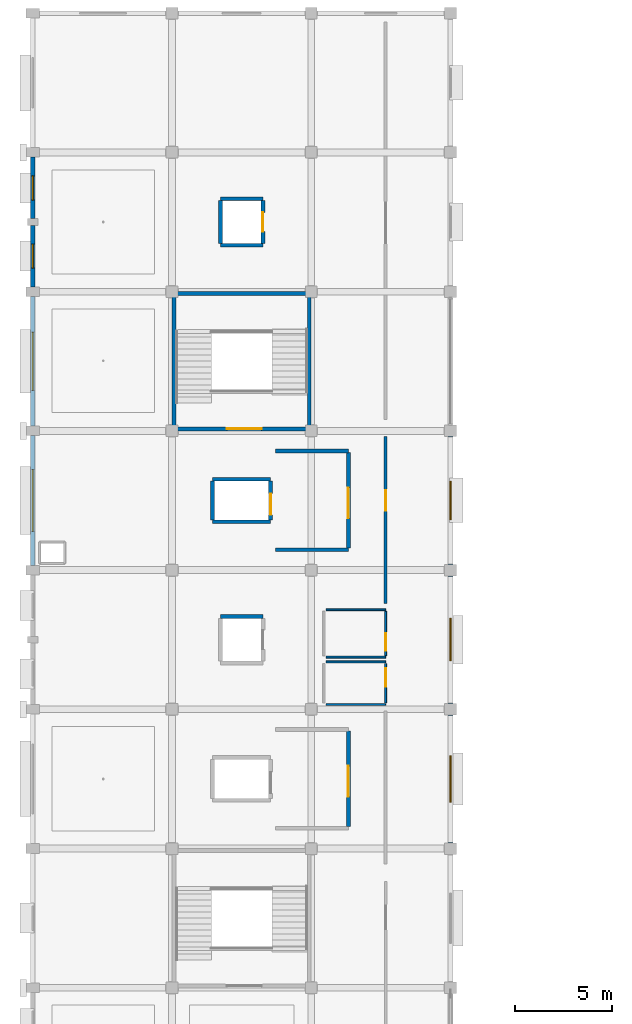
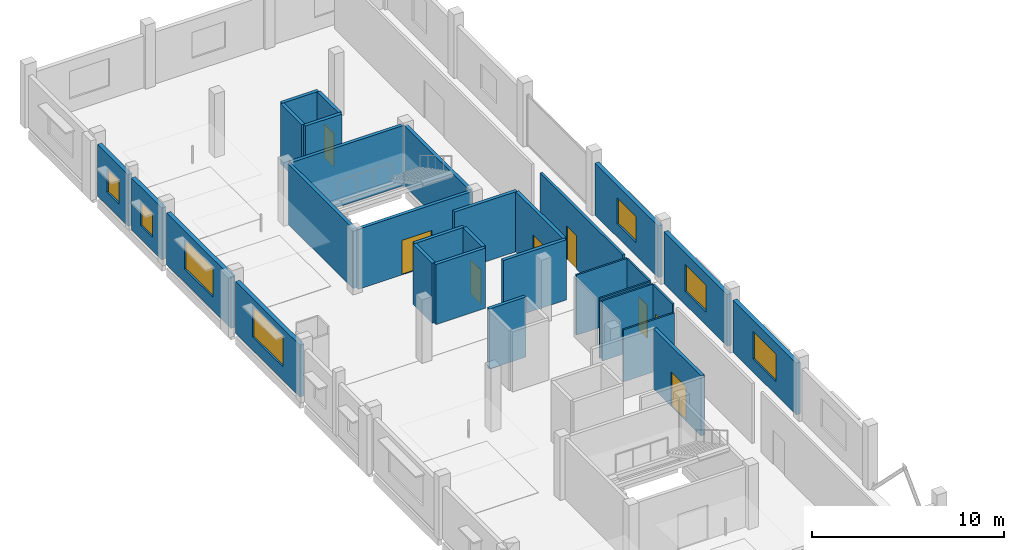
# One storey, part 15 of 26: 31 walls, 8 doors, 7 windows, 15 openings.
"""IFC4 building model written with IfcOpenShell, lengths in metres."""

from ifc_helpers import new_model, si_unit, direction, frame, frame_2d, origin, place, context, subcontext, project, spatial, rectangle, extrude, material, layer, layer_set, type_object, element, fill, save


model = new_model("IFC4")

# Units and contexts
model_context = context("Model", 3, precision=1e-05, world=origin(), true_north=direction((0.0, 1.0)))
body_context = subcontext(model_context, "Body", "Model", "MODEL_VIEW")
ifc_project = project(units=[si_unit("LENGTHUNIT", "METRE"), si_unit("AREAUNIT", "SQUARE_METRE"), si_unit("VOLUMEUNIT", "CUBIC_METRE"), si_unit("PLANEANGLEUNIT", "RADIAN"), si_unit("MASSUNIT", "GRAM", prefix="KILO")], contexts=[model_context])

# Site, building, storey
site_placement = place(None, origin())
site = spatial("IfcSite", under=ifc_project, at=site_placement, CompositionType="ELEMENT")
building_placement = place(site_placement, origin())
building = spatial("IfcBuilding", under=site, at=building_placement, Name="Kangsadwip Square Police Headquarters", CompositionType="ELEMENT")
storey_placement = place(building_placement, frame((0.0, 0.0, 25.64990234375)))
storey = spatial("IfcBuildingStorey", under=building, at=storey_placement, Name="L06", CompositionType="ELEMENT", Elevation=25.64990234375)

# Wall, opening, door
ifc_material_1 = material(Name="Autoclaved aerated concrete blockwork masonry", Category="masonry")
ifc_layer_1 = layer(ifc_material_1, 0.14990234375)
ifc_layer_set_1 = layer_set([ifc_layer_1], Name="Autoclaved aerated concrete blockwork masonry")
wall_type_1 = type_object("IfcWallType", Name="BlockPartition150", PredefinedType="PARTITIONING", material=ifc_layer_set_1)
wall_1_placement = place(storey_placement, frame((18.25, 63.080078125, 0.0), z_axis=(0.0, 0.0, 1.0), x_axis=(0.0, 1.0, 0.0)))
wall_1 = element("IfcWall", 1, at=wall_1_placement, inside=storey, type_object=wall_type_1, Name="Interior Wall WI-L06-0923", PredefinedType="PARTITIONING", context=body_context, shape_type="SweptSolid", body=[
    extrude(rectangle(XDim=8.619873046875, YDim=0.14990234375, at=frame_2d((4.31005859375, 0.0))), origin(), (0.0, 0.0, 1.0), 3.830078125),
])
opening_1_placement = place(wall_1_placement, frame((4.794921875, 0.0, 0.0)))
opening_1 = element("IfcOpeningElement", 2, at=opening_1_placement, cuts=wall_1, Name="Opening ID-10A", PredefinedType="OPENING", context=body_context, shape_type="SweptSolid", body=[
    extrude(rectangle(XDim=1.050048828125, YDim=2.14990234375, at=frame_2d((0.52490234375, 1.074951171875))), frame((0.0, 0.0849609375, 0.0), z_axis=(0.0, -1.0, 0.0), x_axis=(1.0, 0.0, 0.0)), (0.0, 0.0, 1.0), 0.169921875),
])
ifc_material_2 = material(Name="Solid-core seasoned teak hardwood architectural door", Category="wood")
door_type_1 = type_object("IfcDoorType", Name="OfficeDoor1050x2150", OperationType="NOTDEFINED", PredefinedType="DOOR", material=ifc_material_2)
door_1_placement = place(opening_1_placement, origin())
door_1 = element("IfcDoor", 3, at=door_1_placement, inside=storey, type_object=door_type_1, Name="Interior Door ID-L06-0260", OperationType="SINGLE_SWING_LEFT", OverallHeight=2.14990234375, OverallWidth=1.050048828125, PredefinedType="DOOR", context=body_context, shape_type="SweptSolid", body=[
    extrude(rectangle(XDim=1.050048828125, YDim=2.14990234375, at=frame_2d((0.52490234375, 1.074951171875))), frame((0.0, 0.02490234375, 0.0), z_axis=(0.0, -1.0, 0.0), x_axis=(1.0, 0.0, 0.0)), (0.0, 0.0, 1.0), 0.050048828125),
])
fill(opening_1, door_1)

# Wall, opening, window
ifc_material_3 = material(Name="Glazed architectural terracotta masonry rainscreen", Category="masonry")
ifc_layer_2 = layer(ifc_material_3, 0.25)
ifc_layer_set_2 = layer_set([ifc_layer_2], Name="Glazed architectural terracotta masonry rainscreen")
wall_type_2 = type_object("IfcWallType", Name="ChicagoTerracottaWall250", PredefinedType="SOLIDWALL", material=ifc_layer_set_2)
wall_2_placement = place(storey_placement, frame((0.0, 65.044921875, 0.0), z_axis=(0.0, 0.0, 1.0), x_axis=(0.0, 1.0, 0.0)))
wall_2 = element("IfcWall", 4, at=wall_2_placement, inside=storey, type_object=wall_type_2, Name="Exterior Wall WE-L06-552", PredefinedType="SOLIDWALL", context=body_context, shape_type="SweptSolid", body=[
    extrude(rectangle(XDim=6.7099609375, YDim=0.25, at=frame_2d((3.35498046875, 0.0))), origin(), (0.0, 0.0, 1.0), 3.295166015625),
])
opening_2_placement = place(wall_2_placement, frame((1.7548828125, 0.0, 0.85009765625)))
opening_2 = element("IfcOpeningElement", 5, at=opening_2_placement, cuts=wall_2, Name="Opening WN-03", PredefinedType="OPENING", context=body_context, shape_type="SweptSolid", body=[
    extrude(rectangle(XDim=3.199951171875, YDim=1.949951171875, at=frame_2d((1.60009765625, 0.97509765625))), frame((0.0, 0.135009765625, 0.0), z_axis=(0.0, -1.0, 0.0), x_axis=(1.0, 0.0, 0.0)), (0.0, 0.0, 1.0), 0.27001953125),
])
ifc_material_4 = material(Name="Double-glazed solar-control low-E safety glass", Category="glass")
window_type_1 = type_object("IfcWindowType", Name="ChicagoTripartiteWin3200x1950", PartitioningType="TRIPLE_PANEL_HORIZONTAL", PredefinedType="WINDOW", material=ifc_material_4)
window_1_placement = place(opening_2_placement, origin())
window_1 = element("IfcWindow", 6, at=window_1_placement, inside=storey, type_object=window_type_1, Name="Window WN-L06-0401", OverallHeight=1.949951171875, OverallWidth=3.199951171875, PartitioningType="SINGLE_PANEL", PredefinedType="WINDOW", context=body_context, shape_type="SweptSolid", body=[
    extrude(rectangle(XDim=3.199951171875, YDim=1.949951171875, at=frame_2d((1.60009765625, 0.97509765625))), frame((0.0, 0.030029296875, 0.0), z_axis=(0.0, -1.0, 0.0), x_axis=(1.0, 0.0, 0.0)), (0.0, 0.0, 1.0), 0.06005859375),
])
fill(opening_2, window_1)

wall_3_placement = place(storey_placement, frame((0.0, 72.2451171875, 0.0), z_axis=(0.0, 0.0, 1.0), x_axis=(0.0, 1.0, 0.0)))
wall_3 = element("IfcWall", 7, at=wall_3_placement, inside=storey, type_object=wall_type_2, Name="Exterior Wall WE-L06-553", PredefinedType="SOLIDWALL", context=body_context, shape_type="SweptSolid", body=[
    extrude(rectangle(XDim=6.7099609375, YDim=0.25, at=frame_2d((3.35498046875, 0.0))), origin(), (0.0, 0.0, 1.0), 3.295166015625),
])
opening_3_placement = place(wall_3_placement, frame((1.85498046875, 0.0, 0.85009765625)))
opening_3 = element("IfcOpeningElement", 8, at=opening_3_placement, cuts=wall_3, Name="Opening WN-04", PredefinedType="OPENING", context=body_context, shape_type="SweptSolid", body=[
    extrude(rectangle(XDim=3.0, YDim=1.89990234375, at=frame_2d((1.5, 0.949951171875))), frame((0.0, 0.135009765625, 0.0), z_axis=(0.0, -1.0, 0.0), x_axis=(1.0, 0.0, 0.0)), (0.0, 0.0, 1.0), 0.27001953125),
])
ifc_material_5 = material(Name="Double-glazed solar-control low-E safety glass", Category="glass")
window_type_2 = type_object("IfcWindowType", Name="ChicagoTripartiteWin3000x1900", PartitioningType="TRIPLE_PANEL_HORIZONTAL", PredefinedType="WINDOW", material=ifc_material_5)
window_2_placement = place(opening_3_placement, origin())
window_2 = element("IfcWindow", 9, at=window_2_placement, inside=storey, type_object=window_type_2, Name="Window WN-L06-0402", OverallHeight=1.89990234375, OverallWidth=3.0, PartitioningType="SINGLE_PANEL", PredefinedType="WINDOW", context=body_context, shape_type="SweptSolid", body=[
    extrude(rectangle(XDim=3.0, YDim=1.89990234375, at=frame_2d((1.5, 0.949951171875))), frame((0.0, 0.030029296875, 0.0), z_axis=(0.0, -1.0, 0.0), x_axis=(1.0, 0.0, 0.0)), (0.0, 0.0, 1.0), 0.06005859375),
])
fill(opening_3, window_2)

wall_4_placement = place(storey_placement, frame((0.0, 79.445068359375, 0.0), z_axis=(0.0, 0.0, 1.0), x_axis=(0.0, 1.0, 0.0)))
wall_4 = element("IfcWall", 10, at=wall_4_placement, inside=storey, type_object=wall_type_2, Name="Exterior Wall WE-L06-554", PredefinedType="SOLIDWALL", context=body_context, shape_type="SweptSolid", body=[
    extrude(rectangle(XDim=3.184814453125, YDim=0.25, at=frame_2d((1.59228515625, 0.0))), origin(), (0.0, 0.0, 1.0), 3.295166015625),
])
opening_4_placement = place(wall_4_placement, frame((0.967529296875, 0.0, 0.85009765625)))
opening_4 = element("IfcOpeningElement", 11, at=opening_4_placement, cuts=wall_4, Name="Opening WN-14", PredefinedType="OPENING", context=body_context, shape_type="SweptSolid", body=[
    extrude(rectangle(XDim=1.25, YDim=1.5, at=frame_2d((0.625, 0.75))), frame((0.0, 0.135009765625, 0.0), z_axis=(0.0, -1.0, 0.0), x_axis=(1.0, 0.0, 0.0)), (0.0, 0.0, 1.0), 0.27001953125),
])
ifc_material_6 = material(Name="Double-glazed solar-control low-E safety glass", Category="glass")
window_type_3 = type_object("IfcWindowType", Name="OfficeCasementWin1250x1500", PartitioningType="SINGLE_PANEL", PredefinedType="WINDOW", material=ifc_material_6)
window_3_placement = place(opening_4_placement, origin())
window_3 = element("IfcWindow", 12, at=window_3_placement, inside=storey, type_object=window_type_3, Name="Window WN-L06-0403", OverallHeight=1.5, OverallWidth=1.25, PartitioningType="SINGLE_PANEL", PredefinedType="WINDOW", context=body_context, shape_type="SweptSolid", body=[
    extrude(rectangle(XDim=1.25, YDim=1.5, at=frame_2d((0.625, 0.75))), frame((0.0, 0.030029296875, 0.0), z_axis=(0.0, -1.0, 0.0), x_axis=(1.0, 0.0, 0.0)), (0.0, 0.0, 1.0), 0.06005859375),
])
fill(opening_4, window_3)

wall_5_placement = place(storey_placement, frame((0.0, 82.969970703125, 0.0), z_axis=(0.0, 0.0, 1.0), x_axis=(0.0, 1.0, 0.0)))
wall_5 = element("IfcWall", 13, at=wall_5_placement, inside=storey, type_object=wall_type_2, Name="Exterior Wall WE-L06-555", PredefinedType="SOLIDWALL", context=body_context, shape_type="SweptSolid", body=[
    extrude(rectangle(XDim=3.18505859375, YDim=0.25, at=frame_2d((1.592529296875, 0.0))), origin(), (0.0, 0.0, 1.0), 3.295166015625),
])
opening_5_placement = place(wall_5_placement, frame((0.967529296875, 0.0, 0.85009765625)))
opening_5 = element("IfcOpeningElement", 14, at=opening_5_placement, cuts=wall_5, Name="Opening WN-14", PredefinedType="OPENING", context=body_context, shape_type="SweptSolid", body=[
    extrude(rectangle(XDim=1.25, YDim=1.5, at=frame_2d((0.625, 0.75))), frame((0.0, 0.135009765625, 0.0), z_axis=(0.0, -1.0, 0.0), x_axis=(1.0, 0.0, 0.0)), (0.0, 0.0, 1.0), 0.27001953125),
])
window_4_placement = place(opening_5_placement, origin())
window_4 = element("IfcWindow", 15, at=window_4_placement, inside=storey, type_object=window_type_3, Name="Window WN-L06-0404", OverallHeight=1.5, OverallWidth=1.25, PartitioningType="SINGLE_PANEL", PredefinedType="WINDOW", context=body_context, shape_type="SweptSolid", body=[
    extrude(rectangle(XDim=1.25, YDim=1.5, at=frame_2d((0.625, 0.75))), frame((0.0, 0.030029296875, 0.0), z_axis=(0.0, -1.0, 0.0), x_axis=(1.0, 0.0, 0.0)), (0.0, 0.0, 1.0), 0.06005859375),
])
fill(opening_5, window_4)

wall_6_placement = place(storey_placement, frame((21.60009765625, 50.695068359375, 0.0), z_axis=(0.0, 0.0, 1.0), x_axis=(0.0, 1.0, 0.0)))
wall_6 = element("IfcWall", 16, at=wall_6_placement, inside=storey, type_object=wall_type_2, Name="Exterior Wall WE-L06-558", PredefinedType="SOLIDWALL", context=body_context, shape_type="SweptSolid", body=[
    extrude(rectangle(XDim=6.60986328125, YDim=0.25, at=frame_2d((3.304931640625, 0.0))), origin(), (0.0, 0.0, 1.0), 3.295166015625),
])
opening_6_placement = place(wall_6_placement, frame((2.10498046875, 0.0, 0.85009765625)))
opening_6 = element("IfcOpeningElement", 17, at=opening_6_placement, cuts=wall_6, Name="Opening WN-07", PredefinedType="OPENING", context=body_context, shape_type="SweptSolid", body=[
    extrude(rectangle(XDim=2.39990234375, YDim=1.75, at=frame_2d((1.199951171875, 0.875))), frame((0.0, 0.135009765625, 0.0), z_axis=(0.0, -1.0, 0.0), x_axis=(1.0, 0.0, 0.0)), (0.0, 0.0, 1.0), 0.27001953125),
])
ifc_material_7 = material(Name="Double-glazed solar-control low-E safety glass", Category="glass")
window_type_4 = type_object("IfcWindowType", Name="ChicagoDoubleMullWin2400x1750", PartitioningType="DOUBLE_PANEL_VERTICAL", PredefinedType="WINDOW", material=ifc_material_7)
window_5_placement = place(opening_6_placement, origin())
window_5 = element("IfcWindow", 18, at=window_5_placement, inside=storey, type_object=window_type_4, Name="Window WN-L06-0407", OverallHeight=1.75, OverallWidth=2.39990234375, PartitioningType="SINGLE_PANEL", PredefinedType="WINDOW", context=body_context, shape_type="SweptSolid", body=[
    extrude(rectangle(XDim=2.39990234375, YDim=1.75, at=frame_2d((1.199951171875, 0.875))), frame((0.0, 0.030029296875, 0.0), z_axis=(0.0, -1.0, 0.0), x_axis=(1.0, 0.0, 0.0)), (0.0, 0.0, 1.0), 0.06005859375),
])
fill(opening_6, window_5)

wall_7_placement = place(storey_placement, frame((21.60009765625, 57.89501953125, 0.0), z_axis=(0.0, 0.0, 1.0), x_axis=(0.0, 1.0, 0.0)))
wall_7 = element("IfcWall", 19, at=wall_7_placement, inside=storey, type_object=wall_type_2, Name="Exterior Wall WE-L06-559", PredefinedType="SOLIDWALL", context=body_context, shape_type="SweptSolid", body=[
    extrude(rectangle(XDim=6.60986328125, YDim=0.25, at=frame_2d((3.304931640625, 0.0))), origin(), (0.0, 0.0, 1.0), 3.295166015625),
])
opening_7_placement = place(wall_7_placement, frame((2.205078125, 0.0, 0.85009765625)))
opening_7 = element("IfcOpeningElement", 20, at=opening_7_placement, cuts=wall_7, Name="Opening WN-08", PredefinedType="OPENING", context=body_context, shape_type="SweptSolid", body=[
    extrude(rectangle(XDim=2.199951171875, YDim=1.699951171875, at=frame_2d((1.10009765625, 0.85009765625))), frame((0.0, 0.135009765625, 0.0), z_axis=(0.0, -1.0, 0.0), x_axis=(1.0, 0.0, 0.0)), (0.0, 0.0, 1.0), 0.27001953125),
])
ifc_material_8 = material(Name="Double-glazed solar-control low-E safety glass", Category="glass")
window_type_5 = type_object("IfcWindowType", Name="ChicagoDoubleMullWin2200x1700", PartitioningType="DOUBLE_PANEL_VERTICAL", PredefinedType="WINDOW", material=ifc_material_8)
window_6_placement = place(opening_7_placement, origin())
window_6 = element("IfcWindow", 21, at=window_6_placement, inside=storey, type_object=window_type_5, Name="Window WN-L06-0408", OverallHeight=1.699951171875, OverallWidth=2.199951171875, PartitioningType="SINGLE_PANEL", PredefinedType="WINDOW", context=body_context, shape_type="SweptSolid", body=[
    extrude(rectangle(XDim=2.199951171875, YDim=1.699951171875, at=frame_2d((1.10009765625, 0.85009765625))), frame((0.0, 0.030029296875, 0.0), z_axis=(0.0, -1.0, 0.0), x_axis=(1.0, 0.0, 0.0)), (0.0, 0.0, 1.0), 0.06005859375),
])
fill(opening_7, window_6)

wall_8_placement = place(storey_placement, frame((21.60009765625, 65.094970703125, 0.0), z_axis=(0.0, 0.0, 1.0), x_axis=(0.0, 1.0, 0.0)))
wall_8 = element("IfcWall", 22, at=wall_8_placement, inside=storey, type_object=wall_type_2, Name="Exterior Wall WE-L06-560", PredefinedType="SOLIDWALL", context=body_context, shape_type="SweptSolid", body=[
    extrude(rectangle(XDim=6.610107421875, YDim=0.25, at=frame_2d((3.30517578125, 0.0))), origin(), (0.0, 0.0, 1.0), 3.295166015625),
])
opening_8_placement = place(wall_8_placement, frame((2.304931640625, 0.0, 0.85009765625)))
opening_8 = element("IfcOpeningElement", 23, at=opening_8_placement, cuts=wall_8, Name="Opening WN-09", PredefinedType="OPENING", context=body_context, shape_type="SweptSolid", body=[
    extrude(rectangle(XDim=2.0, YDim=1.64990234375, at=frame_2d((1.0, 0.824951171875))), frame((0.0, 0.135009765625, 0.0), z_axis=(0.0, -1.0, 0.0), x_axis=(1.0, 0.0, 0.0)), (0.0, 0.0, 1.0), 0.27001953125),
])
ifc_material_9 = material(Name="Double-glazed solar-control low-E safety glass", Category="glass")
window_type_6 = type_object("IfcWindowType", Name="ChicagoDoubleMullWin2000x1650", PartitioningType="DOUBLE_PANEL_VERTICAL", PredefinedType="WINDOW", material=ifc_material_9)
window_7_placement = place(opening_8_placement, origin())
window_7 = element("IfcWindow", 24, at=window_7_placement, inside=storey, type_object=window_type_6, Name="Window WN-L06-0409", OverallHeight=1.64990234375, OverallWidth=2.0, PartitioningType="SINGLE_PANEL", PredefinedType="WINDOW", context=body_context, shape_type="SweptSolid", body=[
    extrude(rectangle(XDim=2.0, YDim=1.64990234375, at=frame_2d((1.0, 0.824951171875))), frame((0.0, 0.030029296875, 0.0), z_axis=(0.0, -1.0, 0.0), x_axis=(1.0, 0.0, 0.0)), (0.0, 0.0, 1.0), 0.06005859375),
])
fill(opening_8, window_7)

# Wall, opening, door
ifc_material_10 = material(Name="Concrete M40 (40 MPa)", Category="concrete")
ifc_layer_3 = layer(ifc_material_10, 0.199951171875)
ifc_layer_set_3 = layer_set([ifc_layer_3], Name="Concrete M40 (40 MPa)")
wall_type_3 = type_object("IfcWallType", Name="CoreShearWall200", PredefinedType="SHEAR", material=ifc_layer_set_3)
wall_9_placement = place(storey_placement, frame((7.39990234375, 72.10009765625, 0.0), z_axis=(0.0, 0.0, 1.0), x_axis=(1.0, 0.0, 0.0)))
wall_9 = element("IfcWall", 25, at=wall_9_placement, inside=storey, type_object=wall_type_3, Name="Interior Wall WI-L06-0077", PredefinedType="SHEAR", context=body_context, shape_type="SweptSolid", body=[
    extrude(rectangle(XDim=6.800048828125, YDim=0.199951171875, at=frame_2d((3.39990234375, 0.0))), origin(), (0.0, 0.0, 1.0), 3.830078125),
])
opening_9_placement = place(wall_9_placement, frame((2.632080078125, 0.0, 0.0)))
opening_9 = element("IfcOpeningElement", 26, at=opening_9_placement, cuts=wall_9, Name="Opening FD-18", PredefinedType="OPENING", context=body_context, shape_type="SweptSolid", body=[
    extrude(rectangle(XDim=1.800048828125, YDim=2.199951171875, at=frame_2d((0.89990234375, 1.10009765625))), frame((0.0, 0.10986328125, 0.0), z_axis=(0.0, -1.0, 0.0), x_axis=(1.0, 0.0, 0.0)), (0.0, 0.0, 1.0), 0.219970703125),
])
ifc_material_11 = material(Name="Insulated galvanized steel fire-rated door assembly", Category="steel")
door_type_2 = type_object("IfcDoorType", Name="StairFireDoor1800x2200", OperationType="DOUBLE_DOOR_SINGLE_SWING", PredefinedType="DOOR", material=ifc_material_11)
door_2_placement = place(opening_9_placement, origin())
door_2 = element("IfcDoor", 27, at=door_2_placement, inside=storey, type_object=door_type_2, Name="Interior Door ID-L06-0017", OperationType="DOUBLE_DOOR_SINGLE_SWING", OverallHeight=2.199951171875, OverallWidth=1.800048828125, PredefinedType="DOOR", context=body_context, shape_type="SweptSolid", body=[
    extrude(rectangle(XDim=1.800048828125, YDim=2.199951171875, at=frame_2d((0.89990234375, 1.10009765625))), frame((0.0, 0.02490234375, 0.0), z_axis=(0.0, -1.0, 0.0), x_axis=(1.0, 0.0, 0.0)), (0.0, 0.0, 1.0), 0.050048828125),
])
fill(opening_9, door_2)

# Walls
for number, where, z_axis, x_axis, name in (
    (28, (7.39990234375, 79.10009765625, 0.0), (0.0, 0.0, 1.0), (1.0, 0.0, 0.0), "Interior Wall WI-L06-0078"),
    (29, (7.300048828125, 72.199951171875, 0.0), (0.0, 0.0, 1.0), (0.0, 1.0, 0.0), "Interior Wall WI-L06-0079"),
    (30, (14.300048828125, 72.199951171875, 0.0), (0.0, 0.0, 1.0), (0.0, 1.0, 0.0), "Interior Wall WI-L06-0080"),
):
    element("IfcWall", number, at=place(storey_placement, frame(where, z_axis=z_axis, x_axis=x_axis)), inside=storey, type_object=wall_type_3, Name=name, PredefinedType="SHEAR", context=body_context, shape_type="SweptSolid", body=[
        extrude(rectangle(XDim=6.800048828125, YDim=0.199951171875, at=frame_2d((3.39990234375, 0.0))), origin(), (0.0, 0.0, 1.0), 3.830078125),
    ])
for number, where, z_axis, x_axis, name in (
    (31, (9.300048828125, 67.300048828125, 0.0), (0.0, 0.0, 1.0), (1.0, 0.0, 0.0), "Interior Wall WI-L06-0299"),
    (32, (9.300048828125, 69.5, 0.0), (0.0, 0.0, 1.0), (1.0, 0.0, 0.0), "Interior Wall WI-L06-0300"),
):
    element("IfcWall", number, at=place(storey_placement, frame(where, z_axis=z_axis, x_axis=x_axis)), inside=storey, type_object=wall_type_3, Name=name, PredefinedType="SHEAR", context=body_context, shape_type="SweptSolid", body=[
        extrude(rectangle(XDim=3.0, YDim=0.199951171875, at=frame_2d((1.5, 0.0))), origin(), (0.0, 0.0, 1.0), 3.830078125),
    ])
wall_10_placement = place(storey_placement, frame((9.300048828125, 67.39990234375, 0.0), z_axis=(0.0, 0.0, 1.0), x_axis=(0.0, 1.0, 0.0)))
element("IfcWall", 33, at=wall_10_placement, inside=storey, type_object=wall_type_3, Name="Interior Wall WI-L06-0301", PredefinedType="SHEAR", context=body_context, shape_type="SweptSolid", body=[
    extrude(rectangle(XDim=2.0, YDim=0.199951171875, at=frame_2d((1.0, 0.0))), origin(), (0.0, 0.0, 1.0), 3.830078125),
])

# Wall, opening, door
wall_11_placement = place(storey_placement, frame((12.300048828125, 67.39990234375, 0.0), z_axis=(0.0, 0.0, 1.0), x_axis=(0.0, 1.0, 0.0)))
wall_11 = element("IfcWall", 34, at=wall_11_placement, inside=storey, type_object=wall_type_3, Name="Interior Wall WI-L06-0302", PredefinedType="SHEAR", context=body_context, shape_type="SweptSolid", body=[
    extrude(rectangle(XDim=2.0, YDim=0.199951171875, at=frame_2d((1.0, 0.0))), origin(), (0.0, 0.0, 1.0), 3.830078125),
])
opening_10_placement = place(wall_11_placement, frame((0.25, 0.0, 0.0)))
opening_10 = element("IfcOpeningElement", 35, at=opening_10_placement, cuts=wall_11, Name="Opening LD-017", PredefinedType="OPENING", context=body_context, shape_type="SweptSolid", body=[
    extrude(rectangle(XDim=1.10009765625, YDim=2.14990234375, at=frame_2d((0.550048828125, 1.074951171875))), frame((0.0, 0.10986328125, 0.0), z_axis=(0.0, -1.0, 0.0), x_axis=(1.0, 0.0, 0.0)), (0.0, 0.0, 1.0), 0.219970703125),
])
ifc_material_12 = material(Name="Brushed stainless steel automatic sliding lift landing door", Category="steel")
door_type_3 = type_object("IfcDoorType", Name="LiftLandingDoor1100x2150", OperationType="DOUBLE_DOOR_SLIDING", PredefinedType="DOOR", material=ifc_material_12)
door_3_placement = place(opening_10_placement, origin())
door_3 = element("IfcDoor", 36, at=door_3_placement, inside=storey, type_object=door_type_3, Name="Interior Door LD-017", OperationType="DOUBLE_DOOR_SLIDING", OverallHeight=2.14990234375, OverallWidth=1.10009765625, PredefinedType="DOOR", context=body_context, shape_type="SweptSolid", body=[
    extrude(rectangle(XDim=1.10009765625, YDim=2.14990234375, at=frame_2d((0.550048828125, 1.074951171875))), frame((0.0, 0.02490234375, 0.0), z_axis=(0.0, -1.0, 0.0), x_axis=(1.0, 0.0, 0.0)), (0.0, 0.0, 1.0), 0.050048828125),
])
fill(opening_10, door_3)

# Walls
for number, where, z_axis, x_axis, name in (
    (37, (9.699951171875, 62.39990234375, 0.0), (0.0, 0.0, 1.0), (1.0, 0.0, 0.0), "Interior Wall WI-L06-0376"),
    (38, (9.699951171875, 81.60009765625, 0.0), (0.0, 0.0, 1.0), (1.0, 0.0, 0.0), "Interior Wall WI-L06-0415"),
    (39, (9.699951171875, 84.0, 0.0), (0.0, 0.0, 1.0), (1.0, 0.0, 0.0), "Interior Wall WI-L06-0416"),
    (40, (9.699951171875, 81.699951171875, 0.0), (0.0, 0.0, 1.0), (0.0, 1.0, 0.0), "Interior Wall WI-L06-0417"),
):
    element("IfcWall", number, at=place(storey_placement, frame(where, z_axis=z_axis, x_axis=x_axis)), inside=storey, type_object=wall_type_3, Name=name, PredefinedType="SHEAR", context=body_context, shape_type="SweptSolid", body=[
        extrude(rectangle(XDim=2.199951171875, YDim=0.199951171875, at=frame_2d((1.10009765625, 0.0))), origin(), (0.0, 0.0, 1.0), 3.830078125),
    ])

# Wall, opening, door
wall_12_placement = place(storey_placement, frame((11.89990234375, 81.699951171875, 0.0), z_axis=(0.0, 0.0, 1.0), x_axis=(0.0, 1.0, 0.0)))
wall_12 = element("IfcWall", 41, at=wall_12_placement, inside=storey, type_object=wall_type_3, Name="Interior Wall WI-L06-0418", PredefinedType="SHEAR", context=body_context, shape_type="SweptSolid", body=[
    extrude(rectangle(XDim=2.199951171875, YDim=0.199951171875, at=frame_2d((1.10009765625, 0.0))), origin(), (0.0, 0.0, 1.0), 3.830078125),
])
opening_11_placement = place(wall_12_placement, frame((0.60009765625, 0.0, 0.0)))
opening_11 = element("IfcOpeningElement", 42, at=opening_11_placement, cuts=wall_12, Name="Opening LD-043", PredefinedType="OPENING", context=body_context, shape_type="SweptSolid", body=[
    extrude(rectangle(XDim=1.0, YDim=2.10009765625, at=frame_2d((0.5, 1.050048828125))), frame((0.0, 0.10986328125, 0.0), z_axis=(0.0, -1.0, 0.0), x_axis=(1.0, 0.0, 0.0)), (0.0, 0.0, 1.0), 0.219970703125),
])
ifc_material_13 = material(Name="Brushed stainless steel automatic sliding lift landing door", Category="steel")
door_type_4 = type_object("IfcDoorType", Name="LiftLandingDoor1000x2100", OperationType="DOUBLE_DOOR_SLIDING", PredefinedType="DOOR", material=ifc_material_13)
door_4_placement = place(opening_11_placement, origin())
door_4 = element("IfcDoor", 43, at=door_4_placement, inside=storey, type_object=door_type_4, Name="Interior Door LD-043", OperationType="DOUBLE_DOOR_SLIDING", OverallHeight=2.10009765625, OverallWidth=1.0, PredefinedType="DOOR", context=body_context, shape_type="SweptSolid", body=[
    extrude(rectangle(XDim=1.0, YDim=2.10009765625, at=frame_2d((0.5, 1.050048828125))), frame((0.0, 0.02490234375, 0.0), z_axis=(0.0, -1.0, 0.0), x_axis=(1.0, 0.0, 0.0)), (0.0, 0.0, 1.0), 0.050048828125),
])
fill(opening_11, door_4)

ifc_material_14 = material(Name="Concrete M40 (40 MPa)", Category="concrete")
ifc_layer_4 = layer(ifc_material_14, 0.199951171875)
ifc_layer_set_4 = layer_set([ifc_layer_4], Name="Concrete M40 (40 MPa)")
wall_type_4 = type_object("IfcWallType", Name="CustodySecurityWall200", PredefinedType="SOLIDWALL", material=ifc_layer_set_4)
wall_13_placement = place(storey_placement, frame((16.320068359375, 51.530029296875, 0.0), z_axis=(0.0, 0.0, 1.0), x_axis=(0.0, 1.0, 0.0)))
wall_13 = element("IfcWall", 44, at=wall_13_placement, inside=storey, type_object=wall_type_4, Name="Interior Wall WI-L06-0901", PredefinedType="SOLIDWALL", context=body_context, shape_type="SweptSolid", body=[
    extrude(rectangle(XDim=4.93994140625, YDim=0.199951171875, at=frame_2d((2.469970703125, 0.0))), origin(), (0.0, 0.0, 1.0), 3.830078125),
])
opening_12_placement = place(wall_13_placement, frame((1.541015625, 0.0, 0.0)))
opening_12 = element("IfcOpeningElement", 45, at=opening_12_placement, cuts=wall_13, Name="Opening FD-16", PredefinedType="OPENING", context=body_context, shape_type="SweptSolid", body=[
    extrude(rectangle(XDim=1.60009765625, YDim=2.199951171875, at=frame_2d((0.800048828125, 1.10009765625))), frame((0.0, 0.10986328125, 0.0), z_axis=(0.0, -1.0, 0.0), x_axis=(1.0, 0.0, 0.0)), (0.0, 0.0, 1.0), 0.219970703125),
])
ifc_material_15 = material(Name="Insulated galvanized steel fire-rated door assembly", Category="steel")
door_type_5 = type_object("IfcDoorType", Name="FfLobbyFireDoor1600x2200", OperationType="DOUBLE_DOOR_SINGLE_SWING", PredefinedType="DOOR", material=ifc_material_15)
door_5_placement = place(opening_12_placement, origin())
door_5 = element("IfcDoor", 46, at=door_5_placement, inside=storey, type_object=door_type_5, Name="Interior Door ID-L06-0253", OperationType="DOUBLE_DOOR_SINGLE_SWING", OverallHeight=2.199951171875, OverallWidth=1.60009765625, PredefinedType="DOOR", context=body_context, shape_type="SweptSolid", body=[
    extrude(rectangle(XDim=1.60009765625, YDim=2.199951171875, at=frame_2d((0.800048828125, 1.10009765625))), frame((0.0, 0.02490234375, 0.0), z_axis=(0.0, -1.0, 0.0), x_axis=(1.0, 0.0, 0.0)), (0.0, 0.0, 1.0), 0.050048828125),
])
fill(opening_12, door_5)

wall_14_placement = place(storey_placement, frame((16.320068359375, 65.929931640625, 0.0), z_axis=(0.0, 0.0, 1.0), x_axis=(0.0, 1.0, 0.0)))
wall_14 = element("IfcWall", 47, at=wall_14_placement, inside=storey, type_object=wall_type_4, Name="Interior Wall WI-L06-0904", PredefinedType="SOLIDWALL", context=body_context, shape_type="SweptSolid", body=[
    extrude(rectangle(XDim=4.940185546875, YDim=0.199951171875, at=frame_2d((2.47021484375, 0.0))), origin(), (0.0, 0.0, 1.0), 3.830078125),
])
opening_13_placement = place(wall_14_placement, frame((1.541015625, 0.0, 0.0)))
opening_13 = element("IfcOpeningElement", 48, at=opening_13_placement, cuts=wall_14, Name="Opening FD-16", PredefinedType="OPENING", context=body_context, shape_type="SweptSolid", body=[
    extrude(rectangle(XDim=1.60009765625, YDim=2.199951171875, at=frame_2d((0.800048828125, 1.10009765625))), frame((0.0, 0.10986328125, 0.0), z_axis=(0.0, -1.0, 0.0), x_axis=(1.0, 0.0, 0.0)), (0.0, 0.0, 1.0), 0.219970703125),
])
door_6_placement = place(opening_13_placement, origin())
door_6 = element("IfcDoor", 49, at=door_6_placement, inside=storey, type_object=door_type_5, Name="Interior Door ID-L06-0254", OperationType="DOUBLE_DOOR_SINGLE_SWING", OverallHeight=2.199951171875, OverallWidth=1.60009765625, PredefinedType="DOOR", context=body_context, shape_type="SweptSolid", body=[
    extrude(rectangle(XDim=1.60009765625, YDim=2.199951171875, at=frame_2d((0.800048828125, 1.10009765625))), frame((0.0, 0.02490234375, 0.0), z_axis=(0.0, -1.0, 0.0), x_axis=(1.0, 0.0, 0.0)), (0.0, 0.0, 1.0), 0.050048828125),
])
fill(opening_13, door_6)

# Walls
for number, where, z_axis, x_axis, name in (
    (50, (12.5400390625, 65.85009765625, 0.0), (0.0, 0.0, 1.0), (1.0, 0.0, 0.0), "Interior Wall WI-L06-0905"),
    (51, (12.5400390625, 70.949951171875, 0.0), (0.0, 0.0, 1.0), (1.0, 0.0, 0.0), "Interior Wall WI-L06-0906"),
):
    element("IfcWall", number, at=place(storey_placement, frame(where, z_axis=z_axis, x_axis=x_axis)), inside=storey, type_object=wall_type_4, Name=name, PredefinedType="SOLIDWALL", context=body_context, shape_type="SweptSolid", body=[
        extrude(rectangle(XDim=3.780029296875, YDim=0.199951171875, at=frame_2d((1.89013671875, 0.0))), origin(), (0.0, 0.0, 1.0), 3.830078125),
    ])

# Wall, opening, door
ifc_material_16 = material(Name="Autoclaved aerated concrete blockwork masonry", Category="masonry")
ifc_layer_5 = layer(ifc_material_16, 0.10009765625)
ifc_layer_set_5 = layer_set([ifc_layer_5], Name="Autoclaved aerated concrete blockwork masonry")
wall_type_5 = type_object("IfcWallType", Name="WetWallPartition100", PredefinedType="PARTITIONING", material=ifc_layer_set_5)
wall_15_placement = place(storey_placement, frame((18.25, 57.929931640625, 0.0), z_axis=(0.0, 0.0, 1.0), x_axis=(0.0, 1.0, 0.0)))
wall_15 = element("IfcWall", 52, at=wall_15_placement, inside=storey, type_object=wall_type_5, Name="Interior Wall WI-L06-0910", PredefinedType="PARTITIONING", context=body_context, shape_type="SweptSolid", body=[
    extrude(rectangle(XDim=2.0400390625, YDim=0.10009765625, at=frame_2d((1.02001953125, 0.0))), origin(), (0.0, 0.0, 1.0), 3.830078125),
])
opening_14_placement = place(wall_15_placement, frame((0.840087890625, 0.0, 0.0)))
opening_14 = element("IfcOpeningElement", 53, at=opening_14_placement, cuts=wall_15, Name="Opening WD-09A", PredefinedType="OPENING", context=body_context, shape_type="SweptSolid", body=[
    extrude(rectangle(XDim=0.949951171875, YDim=2.10009765625, at=frame_2d((0.47509765625, 1.050048828125))), frame((0.0, 0.06005859375, 0.0), z_axis=(0.0, -1.0, 0.0), x_axis=(1.0, 0.0, 0.0)), (0.0, 0.0, 1.0), 0.1201171875),
])
ifc_material_17 = material(Name="Solid-core seasoned teak hardwood architectural door", Category="wood")
door_type_6 = type_object("IfcDoorType", Name="AccessibleWcDoor950x2100", OperationType="NOTDEFINED", PredefinedType="DOOR", material=ifc_material_17)
door_7_placement = place(opening_14_placement, origin())
door_7 = element("IfcDoor", 54, at=door_7_placement, inside=storey, type_object=door_type_6, Name="Interior Door ID-L06-0256", OperationType="SINGLE_SWING_LEFT", OverallHeight=2.10009765625, OverallWidth=0.949951171875, PredefinedType="DOOR", context=body_context, shape_type="SweptSolid", body=[
    extrude(rectangle(XDim=0.949951171875, YDim=2.10009765625, at=frame_2d((0.47509765625, 1.050048828125))), frame((0.0, 0.02490234375, 0.0), z_axis=(0.0, -1.0, 0.0), x_axis=(1.0, 0.0, 0.0)), (0.0, 0.0, 1.0), 0.050048828125),
])
fill(opening_14, door_7)

# Walls
wall_16_placement = place(storey_placement, frame((15.169921875, 57.85009765625, 0.0), z_axis=(0.0, 0.0, 1.0), x_axis=(1.0, 0.0, 0.0)))
element("IfcWall", 55, at=wall_16_placement, inside=storey, type_object=wall_type_5, Name="Interior Wall WI-L06-0911", PredefinedType="PARTITIONING", context=body_context, shape_type="SweptSolid", body=[
    extrude(rectangle(XDim=3.080078125, YDim=0.10009765625, at=frame_2d((1.5400390625, 0.0))), origin(), (0.0, 0.0, 1.0), 3.320068359375),
])
wall_17_placement = place(storey_placement, frame((15.169921875, 60.050048828125, 0.0), z_axis=(0.0, 0.0, 1.0), x_axis=(1.0, 0.0, 0.0)))
element("IfcWall", 56, at=wall_17_placement, inside=storey, type_object=wall_type_5, Name="Interior Wall WI-L06-0912", PredefinedType="PARTITIONING", context=body_context, shape_type="SweptSolid", body=[
    extrude(rectangle(XDim=3.080078125, YDim=0.10009765625, at=frame_2d((1.5400390625, 0.0))), origin(), (0.0, 0.0, 1.0), 3.830078125),
])

# Wall, opening, door
wall_18_placement = place(storey_placement, frame((18.25, 60.3798828125, 0.0), z_axis=(0.0, 0.0, 1.0), x_axis=(0.0, 1.0, 0.0)))
wall_18 = element("IfcWall", 57, at=wall_18_placement, inside=storey, type_object=wall_type_5, Name="Interior Wall WI-L06-0914", PredefinedType="PARTITIONING", context=body_context, shape_type="SweptSolid", body=[
    extrude(rectangle(XDim=2.2900390625, YDim=0.10009765625, at=frame_2d((1.14501953125, 0.0))), origin(), (0.0, 0.0, 1.0), 3.830078125),
])
opening_15_placement = place(wall_18_placement, frame((0.25, 0.0, 0.0)))
opening_15 = element("IfcOpeningElement", 58, at=opening_15_placement, cuts=wall_18, Name="Opening WD-09B", PredefinedType="OPENING", context=body_context, shape_type="SweptSolid", body=[
    extrude(rectangle(XDim=0.89990234375, YDim=2.10009765625, at=frame_2d((0.449951171875, 1.050048828125))), frame((0.0, 0.06005859375, 0.0), z_axis=(0.0, -1.0, 0.0), x_axis=(1.0, 0.0, 0.0)), (0.0, 0.0, 1.0), 0.1201171875),
])
ifc_material_18 = material(Name="Solid-core seasoned teak hardwood architectural door", Category="wood")
door_type_7 = type_object("IfcDoorType", Name="ToiletRoomDoor900x2100", OperationType="NOTDEFINED", PredefinedType="DOOR", material=ifc_material_18)
door_8_placement = place(opening_15_placement, origin())
door_8 = element("IfcDoor", 59, at=door_8_placement, inside=storey, type_object=door_type_7, Name="Interior Door ID-L06-0257", OperationType="SINGLE_SWING_RIGHT", OverallHeight=2.10009765625, OverallWidth=0.89990234375, PredefinedType="DOOR", context=body_context, shape_type="SweptSolid", body=[
    extrude(rectangle(XDim=0.89990234375, YDim=2.10009765625, at=frame_2d((0.449951171875, 1.050048828125))), frame((0.0, 0.02490234375, 0.0), z_axis=(0.0, -1.0, 0.0), x_axis=(1.0, 0.0, 0.0)), (0.0, 0.0, 1.0), 0.050048828125),
])
fill(opening_15, door_8)

# Walls
for number, where, z_axis, x_axis, name in (
    (60, (15.169921875, 60.300048828125, 0.0), (0.0, 0.0, 1.0), (1.0, 0.0, 0.0), "Interior Wall WI-L06-0915"),
    (61, (15.169921875, 62.75, 0.0), (0.0, 0.0, 1.0), (1.0, 0.0, 0.0), "Interior Wall WI-L06-0916"),
):
    element("IfcWall", number, at=place(storey_placement, frame(where, z_axis=z_axis, x_axis=x_axis)), inside=storey, type_object=wall_type_5, Name=name, PredefinedType="PARTITIONING", context=body_context, shape_type="SweptSolid", body=[
        extrude(rectangle(XDim=3.080078125, YDim=0.10009765625, at=frame_2d((1.5400390625, 0.0))), origin(), (0.0, 0.0, 1.0), 3.830078125),
    ])

save(model, "model.ifc")
